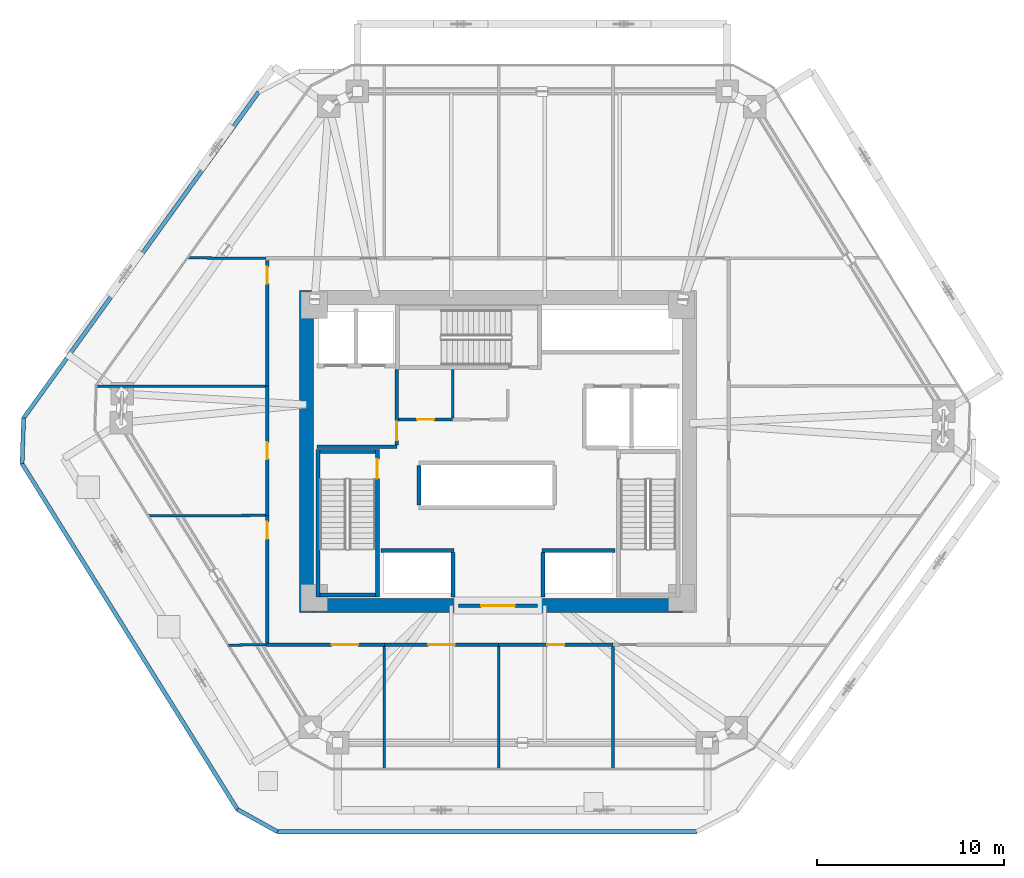
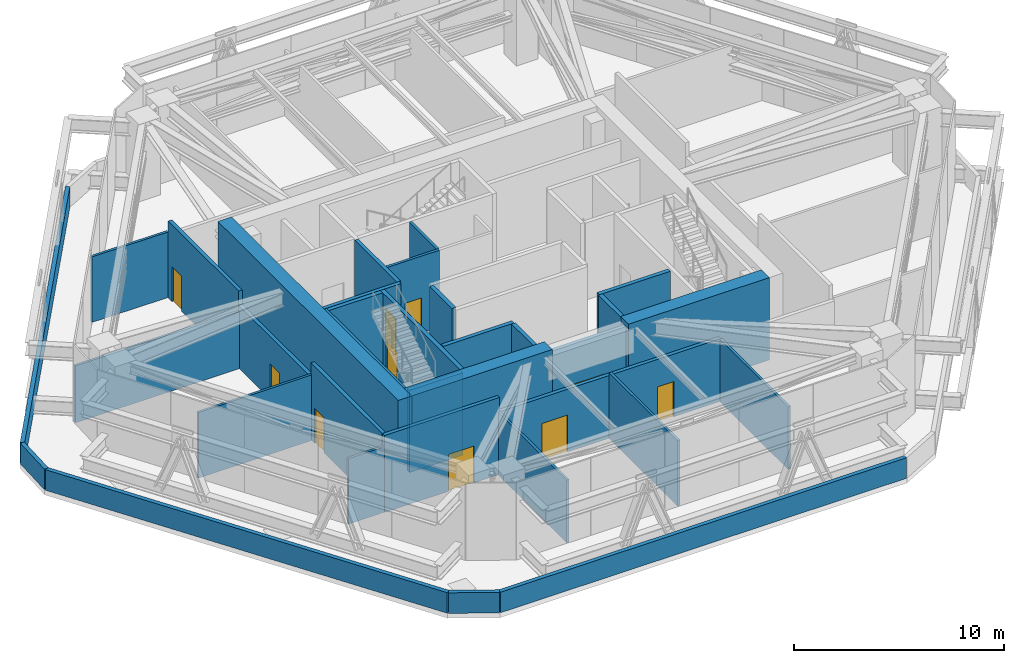
# One storey, part 7 of 10: 35 walls, 10 doors, 10 openings.
"""IFC4 building model written with IfcOpenShell, lengths in metres."""

from ifc_helpers import new_model, si_unit, direction, frame, frame_2d, origin, place, context, subcontext, project, spatial, rectangle, extrude, source, transform, mapped, material, layer, layer_set, type_object, type_shapes, element, fill, save


model = new_model("IFC4")

# Units and contexts
model_context = context("Model", 3, precision=1e-05, world=origin(), true_north=direction((0.0, 1.0)))
body_context = subcontext(model_context, "Body", "Model", "MODEL_VIEW")
ifc_project = project(units=[si_unit("LENGTHUNIT", "METRE"), si_unit("AREAUNIT", "SQUARE_METRE"), si_unit("VOLUMEUNIT", "CUBIC_METRE"), si_unit("PLANEANGLEUNIT", "RADIAN"), si_unit("MASSUNIT", "GRAM", prefix="KILO")], contexts=[model_context])

# Site, building, storey
site_placement = place(None, origin())
site = spatial("IfcSite", under=ifc_project, at=site_placement, CompositionType="ELEMENT")
building_placement = place(site_placement, origin())
building = spatial("IfcBuilding", under=site, at=building_placement, Name="Durnholm Broadcast Tower", CompositionType="ELEMENT")
storey_placement = place(building_placement, frame((0.0, 0.0, 88.5)))
storey = spatial("IfcBuildingStorey", under=building, at=storey_placement, Name="L23", CompositionType="ELEMENT", Elevation=88.5)

# Walls
ifc_material_1 = material(Name="Concrete C70/85", Category="concrete")
ifc_layer_1 = layer(ifc_material_1, 0.75)
ifc_layer_set_1 = layer_set([ifc_layer_1], Name="Concrete C70/85")
wall_type_1 = type_object("IfcWallType", Name="WALL-CW-750", PredefinedType="SHEAR", material=ifc_layer_set_1)
wall_1_placement = place(storey_placement, frame((-10.22509765625, -8.60009765625, 0.0), z_axis=(0.0, 0.0, 1.0), x_axis=(0.0, 1.0, 0.0)))
element("IfcWall", 1, at=wall_1_placement, inside=storey, type_object=wall_type_1, Name="L23 central core shear wall CW-WEST", PredefinedType="SHEAR", context=body_context, shape_type="SweptSolid", body=[
    extrude(rectangle(XDim=17.2001953125, YDim=0.75, at=frame_2d((8.60009765625, 0.0))), origin(), (0.0, 0.0, 1.0), 4.800048828125),
])
for number, where, z_axis, x_axis, name in (
    (2, (-9.85009765625, -8.22509765625, 0.0), (0.0, 0.0, 1.0), (1.0, 0.0, 0.0), "L23 central core shear wall CW-S1"),
    (3, (2.10009765625, -8.22509765625, 0.0), (0.0, 0.0, 1.0), (1.0, 0.0, 0.0), "L23 central core shear wall CW-S2"),
):
    element("IfcWall", number, at=place(storey_placement, frame(where, z_axis=z_axis, x_axis=x_axis)), inside=storey, type_object=wall_type_1, Name=name, PredefinedType="SHEAR", context=body_context, shape_type="SweptSolid", body=[
        extrude(rectangle(XDim=7.75, YDim=0.75, at=frame_2d((3.875, 0.0))), origin(), (0.0, 0.0, 1.0), 4.800048828125),
    ])

# Wall, opening, door
ifc_material_2 = material(Name="Fire-Rated Gypsum Shaftwall", Category="concrete")
ifc_layer_2 = layer(ifc_material_2, 0.199951171875)
ifc_layer_set_2 = layer_set([ifc_layer_2], Name="Fire-Rated Gypsum Shaftwall")
wall_type_2 = type_object("IfcWallType", Name="WALL-LOB-200", PredefinedType="SOLIDWALL", material=ifc_layer_set_2)
wall_2_placement = place(storey_placement, frame((-2.10009765625, -8.22509765625, 0.0), z_axis=(0.0, 0.0, 1.0), x_axis=(1.0, 0.0, 0.0)))
wall_2 = element("IfcWall", 4, at=wall_2_placement, inside=storey, type_object=wall_type_2, Name="L23 south core lobby fire screen", PredefinedType="SOLIDWALL", context=body_context, shape_type="SweptSolid", body=[
    extrude(rectangle(XDim=4.2001953125, YDim=0.199951171875, at=frame_2d((2.10009765625, 0.0))), origin(), (0.0, 0.0, 1.0), 4.485107421875),
])
opening_1_placement = place(wall_2_placement, frame((1.199951171875, 0.0, 0.0)))
opening_1 = element("IfcOpeningElement", 5, at=opening_1_placement, cuts=wall_2, Name="Opening DP-60", PredefinedType="OPENING", context=body_context, shape_type="SweptSolid", body=[
    extrude(rectangle(XDim=1.800048828125, YDim=2.14990234375, at=frame_2d((0.89990234375, 1.074951171875))), frame((0.0, 0.10986328125, 0.0), z_axis=(0.0, -1.0, 0.0), x_axis=(1.0, 0.0, 0.0)), (0.0, 0.0, 1.0), 0.219970703125),
])
ifc_material_3 = material(Name="Fire-Rated Double Corridor Door", Category="steel")
ifc_layer_3 = layer(ifc_material_3, 0.050048828125)
ifc_layer_set_3 = layer_set([ifc_layer_3], Name="Fire-Rated Double Corridor Door")
door_type_1 = type_object("IfcDoorType", Name="DOOR-PAIR-FD60", OperationType="DOUBLE_DOOR_SINGLE_SWING", PredefinedType="DOOR", material=ifc_layer_set_3)
shared_shape_1 = source(origin(), body_context, "Body", "SweptSolid", [
    extrude(rectangle(XDim=1.800048828125, YDim=2.14990234375, at=frame_2d((0.89990234375, 1.074951171875))), frame((0.0, 0.02490234375, 0.0), z_axis=(0.0, -1.0, 0.0), x_axis=(1.0, 0.0, 0.0)), (0.0, 0.0, 1.0), 0.050048828125),
])
type_shapes(door_type_1, [shared_shape_1])
door_1_placement = place(opening_1_placement, origin())
door_1 = element("IfcDoor", 6, at=door_1_placement, inside=storey, type_object=door_type_1, Name="L23 south core lobby double fire door", OperationType="DOUBLE_DOOR_SINGLE_SWING", OverallHeight=2.14990234375, OverallWidth=1.800048828125, PredefinedType="DOOR", context=body_context, shape_type="MappedRepresentation", body=[
    mapped(shared_shape_1, transform((0.0, 0.0, 0.0), x_axis=(1.0, 0.0, 0.0), y_axis=(0.0, 1.0, 0.0), z_axis=(0.0, 0.0, 1.0), scale=1.0)),
])
fill(opening_1, door_1)

# Wall
wall_3_placement = place(storey_placement, frame((-9.64990234375, 0.25, 0.0), z_axis=(0.0, 0.0, 1.0), x_axis=(1.0, 0.0, 0.0)))
element("IfcWall", 7, at=wall_3_placement, inside=storey, type_object=wall_type_2, Name="L23 Fire Service Access Elevator lobby south wall", PredefinedType="SOLIDWALL", context=body_context, shape_type="SweptSolid", body=[
    extrude(rectangle(XDim=4.27001953125, YDim=0.199951171875, at=frame_2d((2.135009765625, 0.0))), origin(), (0.0, 0.0, 1.0), 4.485107421875),
])

# Wall, opening, door
wall_4_placement = place(storey_placement, frame((-5.39990234375, 0.35400390625, 0.0), z_axis=(0.0, 0.0, 1.0), x_axis=(0.0, 1.0, 0.0)))
wall_4 = element("IfcWall", 8, at=wall_4_placement, inside=storey, type_object=wall_type_2, Name="L23 Fire Service Access Elevator lobby east fire wall", PredefinedType="SOLIDWALL", context=body_context, shape_type="SweptSolid", body=[
    extrude(rectangle(XDim=4.02587890625, YDim=0.199951171875, at=frame_2d((2.012939453125, 0.0))), origin(), (0.0, 0.0, 1.0), 4.485107421875),
])
opening_2_placement = place(wall_4_placement, frame((0.24609375, 0.0, 0.0)))
opening_2 = element("IfcOpeningElement", 9, at=opening_2_placement, cuts=wall_4, Name="Opening DL-60R", PredefinedType="OPENING", context=body_context, shape_type="SweptSolid", body=[
    extrude(rectangle(XDim=1.0, YDim=2.14990234375, at=frame_2d((0.5, 1.074951171875))), frame((0.0, 0.10986328125, 0.0), z_axis=(0.0, -1.0, 0.0), x_axis=(1.0, 0.0, 0.0)), (0.0, 0.0, 1.0), 0.219970703125),
])
ifc_material_4 = material(Name="Fire-Rated Timber/Steel Door", Category="steel")
ifc_layer_4 = layer(ifc_material_4, 0.050048828125)
ifc_layer_set_4 = layer_set([ifc_layer_4], Name="Fire-Rated Timber/Steel Door")
door_type_2 = type_object("IfcDoorType", Name="DOOR-LOB-FD60-R", OperationType="NOTDEFINED", PredefinedType="DOOR", material=ifc_layer_set_4)
shared_shape_2 = source(origin(), body_context, "Body", "SweptSolid", [
    extrude(rectangle(XDim=1.0, YDim=2.14990234375, at=frame_2d((0.5, 1.074951171875))), frame((0.0, 0.02490234375, 0.0), z_axis=(0.0, -1.0, 0.0), x_axis=(1.0, 0.0, 0.0)), (0.0, 0.0, 1.0), 0.050048828125),
])
type_shapes(door_type_2, [shared_shape_2])
door_2_placement = place(opening_2_placement, origin())
door_2 = element("IfcDoor", 10, at=door_2_placement, inside=storey, type_object=door_type_2, Name="L23 Fire Service Access Elevator lobby smoke door", OperationType="SINGLE_SWING_RIGHT", OverallHeight=2.14990234375, OverallWidth=1.0, PredefinedType="DOOR", context=body_context, shape_type="MappedRepresentation", body=[
    mapped(shared_shape_2, transform((0.0, 0.0, 0.0), x_axis=(1.0, 0.0, 0.0), y_axis=(0.0, 1.0, 0.0), z_axis=(0.0, 0.0, 1.0), scale=1.0)),
])
fill(opening_2, door_2)

wall_5_placement = place(storey_placement, frame((-12.389892578125, -10.31005859375, 0.0), z_axis=(0.0, 0.0, 1.0), x_axis=(1.0, 0.0, 0.0)))
wall_5 = element("IfcWall", 11, at=wall_5_placement, inside=storey, type_object=wall_type_2, Name="L23 L23 West Pressurized Refuge Area corridor partition", PredefinedType="SOLIDWALL", context=body_context, shape_type="SweptSolid", body=[
    extrude(rectangle(XDim=6.329833984375, YDim=0.199951171875, at=frame_2d((3.1650390625, 0.0))), origin(), (0.0, 0.0, 1.0), 4.485107421875),
])
opening_3_placement = place(wall_5_placement, frame((3.530029296875, 0.0, 0.0)))
opening_3 = element("IfcOpeningElement", 12, at=opening_3_placement, cuts=wall_5, Name="Opening DPL-140", PredefinedType="OPENING", context=body_context, shape_type="SweptSolid", body=[
    extrude(rectangle(XDim=1.39990234375, YDim=2.14990234375, at=frame_2d((0.699951171875, 1.074951171875))), frame((0.0, 0.10986328125, 0.0), z_axis=(0.0, -1.0, 0.0), x_axis=(1.0, 0.0, 0.0)), (0.0, 0.0, 1.0), 0.219970703125),
])
ifc_material_5 = material(Name="Fire-Rated Mechanical Plant Double Door", Category="steel")
ifc_layer_5 = layer(ifc_material_5, 0.050048828125)
ifc_layer_set_5 = layer_set([ifc_layer_5], Name="Fire-Rated Mechanical Plant Double Door")
door_type_3 = type_object("IfcDoorType", Name="DOOR-PLNT-1400", OperationType="DOUBLE_DOOR_SINGLE_SWING", PredefinedType="DOOR", material=ifc_layer_set_5)
shared_shape_3 = source(origin(), body_context, "Body", "SweptSolid", [
    extrude(rectangle(XDim=1.39990234375, YDim=2.14990234375, at=frame_2d((0.699951171875, 1.074951171875))), frame((0.0, 0.02490234375, 0.0), z_axis=(0.0, -1.0, 0.0), x_axis=(1.0, 0.0, 0.0)), (0.0, 0.0, 1.0), 0.050048828125),
])
type_shapes(door_type_3, [shared_shape_3])
door_3_placement = place(opening_3_placement, origin())
door_3 = element("IfcDoor", 13, at=door_3_placement, inside=storey, type_object=door_type_3, Name="L23 L23 West Pressurized Refuge Area entrance door", OperationType="DOUBLE_DOOR_SINGLE_SWING", OverallHeight=2.14990234375, OverallWidth=1.39990234375, PredefinedType="DOOR", context=body_context, shape_type="MappedRepresentation", body=[
    mapped(shared_shape_3, transform((0.0, 0.0, 0.0), x_axis=(1.0, 0.0, 0.0), y_axis=(0.0, 1.0, 0.0), z_axis=(0.0, 0.0, 1.0), scale=1.0)),
])
fill(opening_3, door_3)

wall_6_placement = place(storey_placement, frame((-6.06005859375, -10.31005859375, 0.0), z_axis=(0.0, 0.0, 1.0), x_axis=(1.0, 0.0, 0.0)))
wall_6 = element("IfcWall", 14, at=wall_6_placement, inside=storey, type_object=wall_type_2, Name="L23 L23 South Pressurized Refuge Area corridor partition", PredefinedType="SOLIDWALL", context=body_context, shape_type="SweptSolid", body=[
    extrude(rectangle(XDim=6.10009765625, YDim=0.199951171875, at=frame_2d((3.050048828125, 0.0))), origin(), (0.0, 0.0, 1.0), 3.652099609375),
])
opening_4_placement = place(wall_6_placement, frame((2.35009765625, 0.0, 0.0)))
opening_4 = element("IfcOpeningElement", 15, at=opening_4_placement, cuts=wall_6, Name="Opening DPL-140", PredefinedType="OPENING", context=body_context, shape_type="SweptSolid", body=[
    extrude(rectangle(XDim=1.39990234375, YDim=2.14990234375, at=frame_2d((0.699951171875, 1.074951171875))), frame((0.0, 0.10986328125, 0.0), z_axis=(0.0, -1.0, 0.0), x_axis=(1.0, 0.0, 0.0)), (0.0, 0.0, 1.0), 0.219970703125),
])
door_4_placement = place(opening_4_placement, origin())
door_4 = element("IfcDoor", 16, at=door_4_placement, inside=storey, type_object=door_type_3, Name="L23 L23 South Pressurized Refuge Area entrance door", OperationType="DOUBLE_DOOR_SINGLE_SWING", OverallHeight=2.14990234375, OverallWidth=1.39990234375, PredefinedType="DOOR", context=body_context, shape_type="MappedRepresentation", body=[
    mapped(shared_shape_3, transform((0.0, 0.0, 0.0), x_axis=(1.0, 0.0, 0.0), y_axis=(0.0, 1.0, 0.0), z_axis=(0.0, 0.0, 1.0), scale=1.0)),
])
fill(opening_4, door_4)

wall_7_placement = place(storey_placement, frame((0.0400390625, -10.31005859375, 0.0), z_axis=(0.0, 0.0, 1.0), x_axis=(1.0, 0.0, 0.0)))
wall_7 = element("IfcWall", 17, at=wall_7_placement, inside=storey, type_object=wall_type_2, Name="L23 Mechanical Plant Room - Domestic Water Booster Tank corridor partition", PredefinedType="SOLIDWALL", context=body_context, shape_type="SweptSolid", body=[
    extrude(rectangle(XDim=6.099853515625, YDim=0.199951171875, at=frame_2d((3.0498046875, 0.0))), origin(), (0.0, 0.0, 1.0), 3.652099609375),
])
opening_5_placement = place(wall_7_placement, frame((2.60009765625, 0.0, 0.0)))
opening_5 = element("IfcOpeningElement", 18, at=opening_5_placement, cuts=wall_7, Name="Opening DC-60R", PredefinedType="OPENING", context=body_context, shape_type="SweptSolid", body=[
    extrude(rectangle(XDim=0.89990234375, YDim=2.050048828125, at=frame_2d((0.449951171875, 1.02490234375))), frame((0.0, 0.10986328125, 0.0), z_axis=(0.0, -1.0, 0.0), x_axis=(1.0, 0.0, 0.0)), (0.0, 0.0, 1.0), 0.219970703125),
])
ifc_material_6 = material(Name="Fire-Rated Core Service Door", Category="steel")
ifc_layer_6 = layer(ifc_material_6, 0.050048828125)
ifc_layer_set_6 = layer_set([ifc_layer_6], Name="Fire-Rated Core Service Door")
door_type_4 = type_object("IfcDoorType", Name="DOOR-CORE-FD60-R", OperationType="NOTDEFINED", PredefinedType="DOOR", material=ifc_layer_set_6)
shared_shape_4 = source(origin(), body_context, "Body", "SweptSolid", [
    extrude(rectangle(XDim=0.89990234375, YDim=2.050048828125, at=frame_2d((0.449951171875, 1.02490234375))), frame((0.0, 0.02490234375, 0.0), z_axis=(0.0, -1.0, 0.0), x_axis=(1.0, 0.0, 0.0)), (0.0, 0.0, 1.0), 0.050048828125),
])
type_shapes(door_type_4, [shared_shape_4])
door_5_placement = place(opening_5_placement, origin())
door_5 = element("IfcDoor", 19, at=door_5_placement, inside=storey, type_object=door_type_4, Name="L23 Mechanical Plant Room - Domestic Water Booster Tank entrance door", OperationType="SINGLE_SWING_RIGHT", OverallHeight=2.050048828125, OverallWidth=0.89990234375, PredefinedType="DOOR", context=body_context, shape_type="MappedRepresentation", body=[
    mapped(shared_shape_4, transform((0.0, 0.0, 0.0), x_axis=(1.0, 0.0, 0.0), y_axis=(0.0, 1.0, 0.0), z_axis=(0.0, 0.0, 1.0), scale=1.0)),
])
fill(opening_5, door_5)

wall_8_placement = place(storey_placement, frame((-12.31005859375, -3.409912109375, 0.0), z_axis=(0.0, 0.0, 1.0), x_axis=(0.0, -1.0, 0.0)))
wall_8 = element("IfcWall", 20, at=wall_8_placement, inside=storey, type_object=wall_type_2, Name="L23 Mechanical Plant Room - Electrical Switchgear West corridor partition", PredefinedType="SOLIDWALL", context=body_context, shape_type="SweptSolid", body=[
    extrude(rectangle(XDim=6.796142578125, YDim=0.199951171875, at=frame_2d((3.39794921875, 0.0))), origin(), (0.0, 0.0, 1.0), 4.485107421875),
])
opening_6_placement = place(wall_8_placement, frame((0.35009765625, 0.0, 0.0)))
opening_6 = element("IfcOpeningElement", 21, at=opening_6_placement, cuts=wall_8, Name="Opening DC-60L", PredefinedType="OPENING", context=body_context, shape_type="SweptSolid", body=[
    extrude(rectangle(XDim=0.89990234375, YDim=2.050048828125, at=frame_2d((0.449951171875, 1.02490234375))), frame((0.0, 0.10986328125, 0.0), z_axis=(0.0, -1.0, 0.0), x_axis=(1.0, 0.0, 0.0)), (0.0, 0.0, 1.0), 0.219970703125),
])
ifc_layer_7 = layer(ifc_material_6, 0.050048828125)
ifc_layer_set_7 = layer_set([ifc_layer_7], Name="Fire-Rated Core Service Door")
door_type_5 = type_object("IfcDoorType", Name="DOOR-CORE-FD60-L", OperationType="NOTDEFINED", PredefinedType="DOOR", material=ifc_layer_set_7)
shared_shape_5 = source(origin(), body_context, "Body", "SweptSolid", [
    extrude(rectangle(XDim=0.89990234375, YDim=2.050048828125, at=frame_2d((0.449951171875, 1.02490234375))), frame((0.0, 0.02490234375, 0.0), z_axis=(0.0, -1.0, 0.0), x_axis=(1.0, 0.0, 0.0)), (0.0, 0.0, 1.0), 0.050048828125),
])
type_shapes(door_type_5, [shared_shape_5])
door_6_placement = place(opening_6_placement, origin())
door_6 = element("IfcDoor", 22, at=door_6_placement, inside=storey, type_object=door_type_5, Name="L23 Mechanical Plant Room - Electrical Switchgear West entrance door", OperationType="SINGLE_SWING_LEFT", OverallHeight=2.050048828125, OverallWidth=0.89990234375, PredefinedType="DOOR", context=body_context, shape_type="MappedRepresentation", body=[
    mapped(shared_shape_5, transform((0.0, 0.0, 0.0), x_axis=(1.0, 0.0, 0.0), y_axis=(0.0, 1.0, 0.0), z_axis=(0.0, 0.0, 1.0), scale=1.0)),
])
fill(opening_6, door_6)

wall_9_placement = place(storey_placement, frame((-12.31005859375, 3.489990234375, 0.0), z_axis=(0.0, 0.0, 1.0), x_axis=(0.0, -1.0, 0.0)))
wall_9 = element("IfcWall", 23, at=wall_9_placement, inside=storey, type_object=wall_type_2, Name="L23 Mechanical Plant Room - Stairwell Pressurization Fan corridor partition", PredefinedType="SOLIDWALL", context=body_context, shape_type="SweptSolid", body=[
    extrude(rectangle(XDim=6.89990234375, YDim=0.199951171875, at=frame_2d((3.449951171875, 0.0))), origin(), (0.0, 0.0, 1.0), 3.652099609375),
])
opening_7_placement = place(wall_9_placement, frame((3.0, 0.0, 0.0)))
opening_7 = element("IfcOpeningElement", 24, at=opening_7_placement, cuts=wall_9, Name="Opening DC-60R", PredefinedType="OPENING", context=body_context, shape_type="SweptSolid", body=[
    extrude(rectangle(XDim=0.89990234375, YDim=2.050048828125, at=frame_2d((0.449951171875, 1.02490234375))), frame((0.0, 0.10986328125, 0.0), z_axis=(0.0, -1.0, 0.0), x_axis=(1.0, 0.0, 0.0)), (0.0, 0.0, 1.0), 0.219970703125),
])
door_7_placement = place(opening_7_placement, origin())
door_7 = element("IfcDoor", 25, at=door_7_placement, inside=storey, type_object=door_type_4, Name="L23 Mechanical Plant Room - Stairwell Pressurization Fan entrance door", OperationType="SINGLE_SWING_RIGHT", OverallHeight=2.050048828125, OverallWidth=0.89990234375, PredefinedType="DOOR", context=body_context, shape_type="MappedRepresentation", body=[
    mapped(shared_shape_4, transform((0.0, 0.0, 0.0), x_axis=(1.0, 0.0, 0.0), y_axis=(0.0, 1.0, 0.0), z_axis=(0.0, 0.0, 1.0), scale=1.0)),
])
fill(opening_7, door_7)

wall_10_placement = place(storey_placement, frame((-12.31005859375, 10.2060546875, 0.0), z_axis=(0.0, 0.0, 1.0), x_axis=(0.0, -1.0, 0.0)))
wall_10 = element("IfcWall", 26, at=wall_10_placement, inside=storey, type_object=wall_type_2, Name="L23 Mechanical Plant Room - Telecom Cooling Distribution corridor partition", PredefinedType="SOLIDWALL", context=body_context, shape_type="SweptSolid", body=[
    extrude(rectangle(XDim=6.716064453125, YDim=0.199951171875, at=frame_2d((3.35791015625, 0.0))), origin(), (0.0, 0.0, 1.0), 4.485107421875),
])
opening_8_placement = place(wall_10_placement, frame((0.35009765625, 0.0, 0.0)))
opening_8 = element("IfcOpeningElement", 27, at=opening_8_placement, cuts=wall_10, Name="Opening DC-60L", PredefinedType="OPENING", context=body_context, shape_type="SweptSolid", body=[
    extrude(rectangle(XDim=0.89990234375, YDim=2.050048828125, at=frame_2d((0.449951171875, 1.02490234375))), frame((0.0, 0.10986328125, 0.0), z_axis=(0.0, -1.0, 0.0), x_axis=(1.0, 0.0, 0.0)), (0.0, 0.0, 1.0), 0.219970703125),
])
door_8_placement = place(opening_8_placement, origin())
door_8 = element("IfcDoor", 28, at=door_8_placement, inside=storey, type_object=door_type_5, Name="L23 Mechanical Plant Room - Telecom Cooling Distribution entrance door", OperationType="SINGLE_SWING_LEFT", OverallHeight=2.050048828125, OverallWidth=0.89990234375, PredefinedType="DOOR", context=body_context, shape_type="MappedRepresentation", body=[
    mapped(shared_shape_5, transform((0.0, 0.0, 0.0), x_axis=(1.0, 0.0, 0.0), y_axis=(0.0, 1.0, 0.0), z_axis=(0.0, 0.0, 1.0), scale=1.0)),
])
fill(opening_8, door_8)

# Walls
ifc_material_7 = material(Name="Precast Concrete C40/50", Category="concrete")
ifc_layer_8 = layer(ifc_material_7, 0.219970703125)
ifc_layer_set_8 = layer_set([ifc_layer_8], Name="Precast Concrete C40/50")
wall_type_3 = type_object("IfcWallType", Name="WALL-PAR-220", PredefinedType="PARAPET", material=ifc_layer_set_8)
wall_11_placement = place(storey_placement, frame((10.59375, -20.2900390625, 0.0), z_axis=(0.0, 0.0, 1.0), x_axis=(-1.0, 0.0, 0.0)))
element("IfcWall", 29, at=wall_11_placement, inside=storey, type_object=wall_type_3, Name="L23 setback roof perimeter parapet 04", PredefinedType="PARAPET", context=body_context, shape_type="SweptSolid", body=[
    extrude(rectangle(XDim=22.359130859375, YDim=0.219970703125, at=frame_2d((11.1796875, 0.0))), origin(), (0.0, 0.0, 1.0), 1.199951171875),
])
wall_12_placement = place(storey_placement, frame((-11.765380859375, -20.2900390625, 0.0), z_axis=(0.0, 0.0, 1.0), x_axis=(-0.874242114292, 0.485490191042, 0.0)))
element("IfcWall", 30, at=wall_12_placement, inside=storey, type_object=wall_type_3, Name="L23 setback roof perimeter parapet 05", PredefinedType="PARAPET", context=body_context, shape_type="SweptSolid", body=[
    extrude(rectangle(XDim=2.44287109375, YDim=0.219970703125, at=frame_2d((1.221435546875, 0.0))), origin(), (0.0, 0.0, 1.0), 1.199951171875),
])
wall_13_placement = place(storey_placement, frame((-13.901123046875, -19.10400390625, 0.0), z_axis=(0.0, 0.0, 1.0), x_axis=(-0.528591126558, 0.848876564009, 0.0)))
element("IfcWall", 31, at=wall_13_placement, inside=storey, type_object=wall_type_3, Name="L23 setback roof perimeter parapet 06", PredefinedType="PARAPET", context=body_context, shape_type="SweptSolid", body=[
    extrude(rectangle(XDim=21.7412109375, YDim=0.219970703125, at=frame_2d((10.87060546875, 0.0))), origin(), (0.0, 0.0, 1.0), 1.199951171875),
])
wall_14_placement = place(storey_placement, frame((-25.393310546875, -0.6484375, 0.0), z_axis=(0.0, 0.0, 1.0), x_axis=(0.033815990117, 0.999428075858, 0.0)))
element("IfcWall", 32, at=wall_14_placement, inside=storey, type_object=wall_type_3, Name="L23 setback roof perimeter parapet 07", PredefinedType="PARAPET", context=body_context, shape_type="SweptSolid", body=[
    extrude(rectangle(XDim=2.43310546875, YDim=0.219970703125, at=frame_2d((1.216552734375, 0.0))), origin(), (0.0, 0.0, 1.0), 1.199951171875),
])
wall_15_placement = place(storey_placement, frame((-25.31103515625, 1.783203125, 0.0), z_axis=(0.0, 0.0, 1.0), x_axis=(0.584819348165, 0.81116356551, 0.0)))
element("IfcWall", 33, at=wall_15_placement, inside=storey, type_object=wall_type_3, Name="L23 setback roof perimeter parapet 08", PredefinedType="PARAPET", context=body_context, shape_type="SweptSolid", body=[
    extrude(rectangle(XDim=21.44091796875, YDim=0.219970703125, at=frame_2d((10.720458984375, 0.0))), origin(), (0.0, 0.0, 1.0), 1.199951171875),
])
ifc_material_8 = material(Name="Gypsum Metal Stud Partition", Category="concrete")
ifc_layer_9 = layer(ifc_material_8, 0.135009765625)
ifc_layer_set_9 = layer_set([ifc_layer_9], Name="Gypsum Metal Stud Partition")
wall_type_4 = type_object("IfcWallType", Name="WALL-PART-135", PredefinedType="PARTITIONING", material=ifc_layer_set_9)
wall_16_placement = place(storey_placement, frame((-2.419921875, 4.375, 0.0), z_axis=(0.0, 0.0, 1.0), x_axis=(0.0, -1.0, 0.0)))
element("IfcWall", 34, at=wall_16_placement, inside=storey, type_object=wall_type_4, Name="L23 room dividing partition 1.2", PredefinedType="PARTITIONING", context=body_context, shape_type="SweptSolid", body=[
    extrude(rectangle(XDim=2.5859375, YDim=0.135009765625, at=frame_2d((1.29296875, 0.0))), origin(), (0.0, 0.0, 1.0), 4.485107421875),
])
wall_17_placement = place(storey_placement, frame((-12.389892578125, 10.310302734375, 0.0), z_axis=(0.0, 0.0, 1.0), x_axis=(-0.999984937259, 0.00548864791, 0.0)))
element("IfcWall", 35, at=wall_17_placement, inside=storey, type_object=wall_type_4, Name="L23 room dividing partition 3.16", PredefinedType="PARTITIONING", context=body_context, shape_type="SweptSolid", body=[
    extrude(rectangle(XDim=4.18115234375, YDim=0.135009765625, at=frame_2d((2.090576171875, 0.0))), origin(), (0.0, 0.0, 1.0), 3.820068359375),
])
wall_18_placement = place(storey_placement, frame((-6.06005859375, -10.4140625, 0.0), z_axis=(0.0, 0.0, 1.0), x_axis=(0.0, -1.0, 0.0)))
element("IfcWall", 36, at=wall_18_placement, inside=storey, type_object=wall_type_4, Name="L23 room dividing partition 7.8", PredefinedType="PARTITIONING", context=body_context, shape_type="SweptSolid", body=[
    extrude(rectangle(XDim=6.52294921875, YDim=0.135009765625, at=frame_2d((3.261474609375, 0.0))), origin(), (0.0, 0.0, 1.0), 3.652099609375),
])
wall_19_placement = place(storey_placement, frame((-14.385986328125, -10.3310546875, 0.0), z_axis=(0.0, 0.0, 1.0), x_axis=(0.999948475847, 0.010151140349, 0.0)))
element("IfcWall", 37, at=wall_19_placement, inside=storey, type_object=wall_type_4, Name="L23 room dividing partition 7.14", PredefinedType="PARTITIONING", context=body_context, shape_type="SweptSolid", body=[
    extrude(rectangle(XDim=1.99609375, YDim=0.135009765625, at=frame_2d((0.998046875, 0.0))), origin(), (0.0, 0.0, 1.0), 3.820068359375),
])
wall_20_placement = place(storey_placement, frame((0.0400390625, -10.4140625, 0.0), z_axis=(0.0, 0.0, 1.0), x_axis=(0.0, -1.0, 0.0)))
element("IfcWall", 38, at=wall_20_placement, inside=storey, type_object=wall_type_4, Name="L23 room dividing partition 8.9", PredefinedType="PARTITIONING", context=body_context, shape_type="SweptSolid", body=[
    extrude(rectangle(XDim=6.52294921875, YDim=0.135009765625, at=frame_2d((3.261474609375, 0.0))), origin(), (0.0, 0.0, 1.0), 3.820068359375),
])
wall_21_placement = place(storey_placement, frame((6.139892578125, -10.4140625, 0.0), z_axis=(0.0, 0.0, 1.0), x_axis=(0.0, -1.0, 0.0)))
element("IfcWall", 39, at=wall_21_placement, inside=storey, type_object=wall_type_4, Name="L23 room dividing partition 9.10", PredefinedType="PARTITIONING", context=body_context, shape_type="SweptSolid", body=[
    extrude(rectangle(XDim=6.52294921875, YDim=0.135009765625, at=frame_2d((3.261474609375, 0.0))), origin(), (0.0, 0.0, 1.0), 3.652099609375),
])
wall_22_placement = place(storey_placement, frame((-18.666015625, -3.43115234375, 0.0), z_axis=(0.0, 0.0, 1.0), x_axis=(0.999994491252, 0.003319256941, 0.0)))
element("IfcWall", 40, at=wall_22_placement, inside=storey, type_object=wall_type_4, Name="L23 room dividing partition 14.15", PredefinedType="PARTITIONING", context=body_context, shape_type="SweptSolid", body=[
    extrude(rectangle(XDim=6.251953125, YDim=0.135009765625, at=frame_2d((3.1259765625, 0.0))), origin(), (0.0, 0.0, 1.0), 3.820068359375),
])
wall_23_placement = place(storey_placement, frame((-21.437255859375, 3.491455078125, 0.0), z_axis=(0.0, 0.0, 1.0), x_axis=(0.999999986823, -0.000162342053, 0.0)))
element("IfcWall", 41, at=wall_23_placement, inside=storey, type_object=wall_type_4, Name="L23 room dividing partition 15.16", PredefinedType="PARTITIONING", context=body_context, shape_type="SweptSolid", body=[
    extrude(rectangle(XDim=9.023193359375, YDim=0.135009765625, at=frame_2d((4.51171875, 0.0))), origin(), (0.0, 0.0, 1.0), 3.317138671875),
])

# Wall, opening, door
ifc_material_9 = material(Name="Acoustic Gypsum Stud Partition", Category="concrete")
ifc_layer_10 = layer(ifc_material_9, 0.14990234375)
ifc_layer_set_10 = layer_set([ifc_layer_10], Name="Acoustic Gypsum Stud Partition")
wall_type_5 = type_object("IfcWallType", Name="WALL-PART-150", PredefinedType="PARTITIONING", material=ifc_layer_set_10)
wall_24_placement = place(storey_placement, frame((-2.419921875, 1.7099609375, 0.0), z_axis=(0.0, 0.0, 1.0), x_axis=(-1.0, 0.0, 0.0)))
wall_24 = element("IfcWall", 42, at=wall_24_placement, inside=storey, type_object=wall_type_5, Name="L23 Core Equipment Store corridor partition", PredefinedType="PARTITIONING", context=body_context, shape_type="SweptSolid", body=[
    extrude(rectangle(XDim=2.8759765625, YDim=0.14990234375, at=frame_2d((1.43798828125, 0.0))), origin(), (0.0, 0.0, 1.0), 4.485107421875),
])
opening_9_placement = place(wall_24_placement, frame((0.988037109375, 0.0, 0.0)))
opening_9 = element("IfcOpeningElement", 43, at=opening_9_placement, cuts=wall_24, Name="Opening DC-60R", PredefinedType="OPENING", context=body_context, shape_type="SweptSolid", body=[
    extrude(rectangle(XDim=0.89990234375, YDim=2.050048828125, at=frame_2d((0.449951171875, 1.02490234375))), frame((0.0, 0.0849609375, 0.0), z_axis=(0.0, -1.0, 0.0), x_axis=(1.0, 0.0, 0.0)), (0.0, 0.0, 1.0), 0.169921875),
])
door_9_placement = place(opening_9_placement, origin())
door_9 = element("IfcDoor", 44, at=door_9_placement, inside=storey, type_object=door_type_4, Name="L23 Core Equipment Store entrance door", OperationType="SINGLE_SWING_RIGHT", OverallHeight=2.050048828125, OverallWidth=0.89990234375, PredefinedType="DOOR", context=body_context, shape_type="MappedRepresentation", body=[
    mapped(shared_shape_4, transform((0.0, 0.0, 0.0), x_axis=(1.0, 0.0, 0.0), y_axis=(0.0, 1.0, 0.0), z_axis=(0.0, 0.0, 1.0), scale=1.0)),
])
fill(opening_9, door_9)

# Walls
ifc_material_10 = material(Name="Concrete Blockwork C30/37", Category="masonry")
ifc_layer_11 = layer(ifc_material_10, 0.219970703125)
ifc_layer_set_11 = layer_set([ifc_layer_11], Name="Concrete Blockwork C30/37")
wall_type_6 = type_object("IfcWallType", Name="WALL-SHAFT-220", PredefinedType="SOLIDWALL", material=ifc_layer_set_11)
for number, where, z_axis, x_axis, name in (
    (45, (-6.25, -5.280029296875, 0.0), (0.0, 0.0, 1.0), (1.0, 0.0, 0.0), "L23 low-rise bank P1 west front wall"),
    (46, (2.35009765625, -5.280029296875, 0.0), (0.0, 0.0, 1.0), (1.0, 0.0, 0.0), "L23 low-rise bank P1 east front wall"),
):
    element("IfcWall", number, at=place(storey_placement, frame(where, z_axis=z_axis, x_axis=x_axis)), inside=storey, type_object=wall_type_6, Name=name, PredefinedType="SOLIDWALL", context=body_context, shape_type="SweptSolid", body=[
        extrude(rectangle(XDim=3.89990234375, YDim=0.219970703125, at=frame_2d((1.949951171875, 0.0))), origin(), (0.0, 0.0, 1.0), 4.485107421875),
    ])
for number, where, z_axis, x_axis, name in (
    (47, (-2.39990234375, -7.75, 0.0), (0.0, 0.0, 1.0), (0.0, 1.0, 0.0), "L23 low-rise bank P1 west mouth wall"),
    (48, (2.39990234375, -7.75, 0.0), (0.0, 0.0, 1.0), (0.0, 1.0, 0.0), "L23 low-rise bank P1 east mouth wall"),
):
    element("IfcWall", number, at=place(storey_placement, frame(where, z_axis=z_axis, x_axis=x_axis)), inside=storey, type_object=wall_type_6, Name=name, PredefinedType="SOLIDWALL", context=body_context, shape_type="SweptSolid", body=[
        extrude(rectangle(XDim=2.35595703125, YDim=0.219970703125, at=frame_2d((1.177978515625, 0.0))), origin(), (0.0, 0.0, 1.0), 4.485107421875),
    ])
wall_25_placement = place(storey_placement, frame((-4.219970703125, -2.865966796875, 0.0), z_axis=(0.0, 0.0, 1.0), x_axis=(0.0, 1.0, 0.0)))
element("IfcWall", 49, at=wall_25_placement, inside=storey, type_object=wall_type_6, Name="L23 mid-rise bank P2 west shaft wall", PredefinedType="SOLIDWALL", context=body_context, shape_type="SweptSolid", body=[
    extrude(rectangle(XDim=2.132080078125, YDim=0.219970703125, at=frame_2d((1.06591796875, 0.0))), origin(), (0.0, 0.0, 1.0), 4.485107421875),
])

# Wall, opening, door
ifc_material_11 = material(Name="Concrete C50/60", Category="concrete")
ifc_layer_12 = layer(ifc_material_11, 0.219970703125)
ifc_layer_set_12 = layer_set([ifc_layer_12], Name="Concrete C50/60")
wall_type_7 = type_object("IfcWallType", Name="WALL-SW-220", PredefinedType="SHEAR", material=ifc_layer_set_12)
wall_26_placement = place(storey_placement, frame((-6.429931640625, -7.77001953125, -0.300048828125), z_axis=(0.0, 0.0, 1.0), x_axis=(0.0, 1.0, 0.0)))
wall_26 = element("IfcWall", 50, at=wall_26_placement, inside=storey, type_object=wall_type_7, Name="L23 stair ST-1 structural shaft wall E", PredefinedType="SHEAR", context=body_context, shape_type="SweptSolid", body=[
    extrude(rectangle(XDim=7.89013671875, YDim=0.219970703125, at=frame_2d((3.945068359375, 0.0))), origin(), (0.0, 0.0, 1.0), 4.800048828125),
])
opening_10_placement = place(wall_26_placement, frame((6.320068359375, 0.0, 0.0)))
opening_10 = element("IfcOpeningElement", 51, at=opening_10_placement, cuts=wall_26, Name="Opening DS-90L", PredefinedType="OPENING", context=body_context, shape_type="SweptSolid", body=[
    extrude(rectangle(XDim=1.050048828125, YDim=2.14990234375, at=frame_2d((0.52490234375, 1.074951171875))), frame((0.0, 0.1201171875, 0.0), z_axis=(0.0, -1.0, 0.0), x_axis=(1.0, 0.0, 0.0)), (0.0, 0.0, 1.0), 0.239990234375),
])
ifc_material_12 = material(Name="Fire-Rated Steel Door", Category="steel")
ifc_layer_13 = layer(ifc_material_12, 0.050048828125)
ifc_layer_set_13 = layer_set([ifc_layer_13], Name="Fire-Rated Steel Door")
door_type_6 = type_object("IfcDoorType", Name="DOOR-ST-FD90-L", OperationType="NOTDEFINED", PredefinedType="DOOR", material=ifc_layer_set_13)
shared_shape_6 = source(origin(), body_context, "Body", "SweptSolid", [
    extrude(rectangle(XDim=1.050048828125, YDim=2.14990234375, at=frame_2d((0.52490234375, 1.074951171875))), frame((0.0, 0.02490234375, 0.0), z_axis=(0.0, -1.0, 0.0), x_axis=(1.0, 0.0, 0.0)), (0.0, 0.0, 1.0), 0.050048828125),
])
type_shapes(door_type_6, [shared_shape_6])
door_10_placement = place(opening_10_placement, origin())
door_10 = element("IfcDoor", 52, at=door_10_placement, inside=storey, type_object=door_type_6, Name="L23 exit stair ST-1 fire door", OperationType="SINGLE_SWING_LEFT", OverallHeight=2.14990234375, OverallWidth=1.050048828125, PredefinedType="DOOR", context=body_context, shape_type="MappedRepresentation", body=[
    mapped(shared_shape_6, transform((0.0, 0.0, 0.0), x_axis=(1.0, 0.0, 0.0), y_axis=(0.0, 1.0, 0.0), z_axis=(0.0, 0.0, 1.0), scale=1.0)),
])
fill(opening_10, door_10)

# Walls
wall_27_placement = place(storey_placement, frame((-9.610107421875, 0.1201171875, -0.300048828125), z_axis=(0.0, 0.0, 1.0), x_axis=(0.0, -1.0, 0.0)))
element("IfcWall", 53, at=wall_27_placement, inside=storey, type_object=wall_type_7, Name="L23 stair ST-1 structural shaft wall W", PredefinedType="SHEAR", context=body_context, shape_type="SweptSolid", body=[
    extrude(rectangle(XDim=7.89013671875, YDim=0.219970703125, at=frame_2d((3.945068359375, 0.0))), origin(), (0.0, 0.0, 1.0), 4.800048828125),
])
for number, where, z_axis, x_axis, name in (
    (54, (-9.5, -7.659912109375, -0.300048828125), (0.0, 0.0, 1.0), (1.0, 0.0, 0.0), "L23 stair ST-1 structural shaft wall S"),
    (55, (-6.5400390625, 0.010009765625, -0.300048828125), (0.0, 0.0, 1.0), (-1.0, 0.0, 0.0), "L23 stair ST-1 structural shaft wall N"),
):
    element("IfcWall", number, at=place(storey_placement, frame(where, z_axis=z_axis, x_axis=x_axis)), inside=storey, type_object=wall_type_7, Name=name, PredefinedType="SHEAR", context=body_context, shape_type="SweptSolid", body=[
        extrude(rectangle(XDim=2.9599609375, YDim=0.219970703125, at=frame_2d((1.47998046875, 0.0))), origin(), (0.0, 0.0, 1.0), 4.800048828125),
    ])

save(model, "model.ifc")
